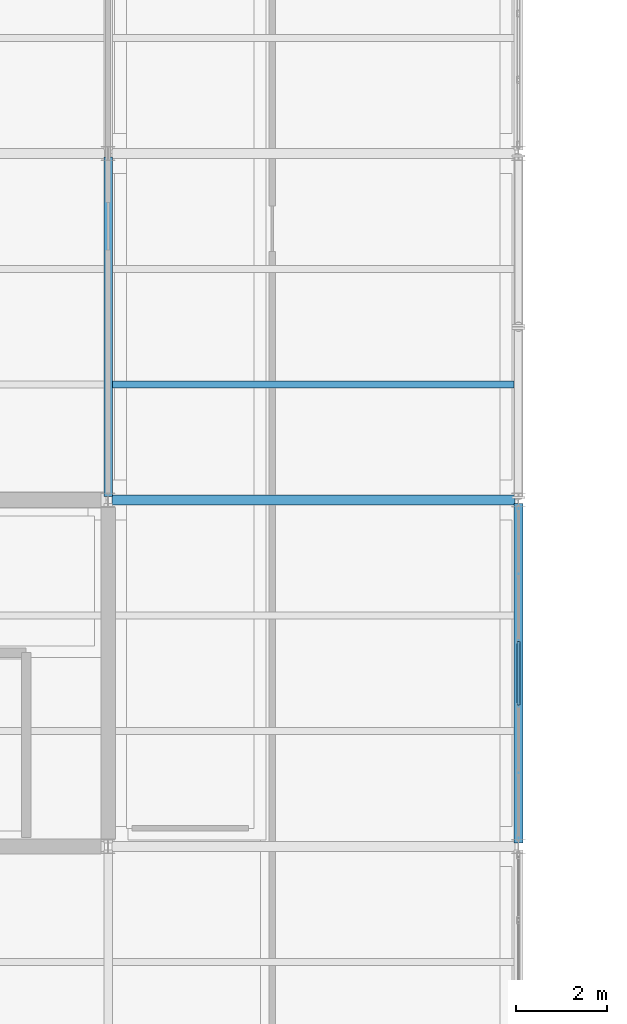
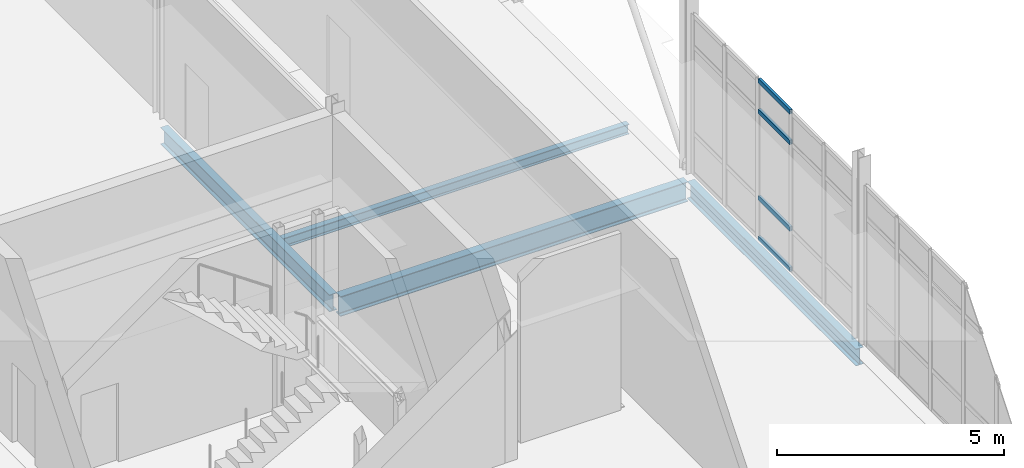
# One storey, part 112 of 161: 4 beams, 4 members, 1 element without a shape of its own.
"""IFC4 building model written with IfcOpenShell, lengths in metres."""

from ifc_helpers import new_model, si_unit, direction, frame, origin, origin_2d, place, context, subcontext, project, spatial, hollow_rectangle, i_section, extrude, material, material_profile, profile_set, type_object, element, aggregate, save


model = new_model("IFC4")

# Units and contexts
model_context = context("Model", 3, precision=1e-05, world=origin(), true_north=direction((0.0, 1.0)))
body_context = subcontext(model_context, "Body", "Model", "MODEL_VIEW")
ifc_project = project(units=[si_unit("LENGTHUNIT", "METRE"), si_unit("AREAUNIT", "SQUARE_METRE"), si_unit("VOLUMEUNIT", "CUBIC_METRE"), si_unit("PLANEANGLEUNIT", "RADIAN"), si_unit("MASSUNIT", "GRAM", prefix="KILO")], contexts=[model_context])

# Site, building, storey
site_placement = place(None, origin())
site = spatial("IfcSite", under=ifc_project, at=site_placement, CompositionType="ELEMENT")
building_placement = place(site_placement, origin())
building = spatial("IfcBuilding", under=site, at=building_placement, Name="Caisbarro Railhouse Central Library", CompositionType="ELEMENT")
storey_placement = place(building_placement, origin())
storey = spatial("IfcBuildingStorey", under=building, at=storey_placement, Name="L00", CompositionType="ELEMENT", Elevation=0.0)

# Beams
ifc_material_1 = material(Name="Steel ASTM A572 Grade 50", Category="steel")
ifc_material_profile_1 = material_profile(ifc_material_1, i_section(OverallWidth=0.208984375, OverallDepth=0.532958984375, WebThickness=0.01025390625, FlangeThickness=0.015625, FilletRadius=0.02001953125, at=origin_2d()), Name="W530X92.0")
ifc_profile_set_1 = profile_set([ifc_material_profile_1], Name="Steel ASTM A572 Grade 50")
beam_type_1 = type_object("IfcBeamType", Name="BM-G06", PredefinedType="BEAM", material=ifc_profile_set_1)
beam_1_placement = place(storey_placement, frame((144.080078125, 76.0, -0.5166015625), z_axis=(1.0, 0.0, 0.0), x_axis=(0.0, 1.0, 0.0)))
element("IfcBeam", 1, at=beam_1_placement, inside=storey, type_object=beam_type_1, Name="G06 beam L00 #501", PredefinedType="BEAM", context=body_context, shape_type="SweptSolid", body=[
    extrude(i_section(OverallWidth=0.208984375, OverallDepth=0.532958984375, WebThickness=0.01025390625, FlangeThickness=0.015625, FilletRadius=0.02001953125, at=origin_2d()), origin(), (0.0, 0.0, 1.0), 8.83984375),
])
ifc_material_profile_2 = material_profile(ifc_material_1, i_section(OverallWidth=0.18994140625, OverallDepth=0.45703125, WebThickness=0.009033203125, FlangeThickness=0.014404296875, FilletRadius=0.01806640625, at=origin_2d()), Name="W460X74.0")
ifc_profile_set_2 = profile_set([ifc_material_profile_2], Name="Steel ASTM A572 Grade 50")
beam_type_2 = type_object("IfcBeamType", Name="BM-G08", PredefinedType="BEAM", material=ifc_profile_set_2)
for number, where, z_axis, x_axis, name in (
    (2, (144.0, 76.080078125, -0.478515625), (0.0, 1.0, 0.0), (-1.0, 0.0, 0.0), "G08 beam L00 #545"),
    (3, (153.0, 68.47998046875, -0.478515625), (0.0, 1.0, 0.0), (-1.0, 0.0, 0.0), "G08 beam L00 #551"),
):
    element("IfcBeam", number, at=place(storey_placement, frame(where, z_axis=z_axis, x_axis=x_axis)), inside=storey, type_object=beam_type_2, Name=name, PredefinedType="BEAM", context=body_context, shape_type="SweptSolid", body=[
        extrude(i_section(OverallWidth=0.18994140625, OverallDepth=0.45703125, WebThickness=0.009033203125, FlangeThickness=0.014404296875, FilletRadius=0.01806640625, at=origin_2d()), origin(), (0.0, 0.0, 1.0), 7.43994140625),
    ])
ifc_material_profile_3 = material_profile(ifc_material_1, i_section(OverallWidth=0.14794921875, OverallDepth=0.26611328125, WebThickness=0.007568359375, FlangeThickness=0.012939453125, FilletRadius=0.010009765625, at=origin_2d()), Name="W250X44.8")
ifc_profile_set_3 = profile_set([ifc_material_profile_3], Name="Steel ASTM A572 Grade 50")
beam_type_3 = type_object("IfcBeamType", Name="BM-J04", PredefinedType="JOIST", material=ifc_profile_set_3)
beam_2_placement = place(storey_placement, frame((144.094970703125, 78.533203125, -0.383056640625), z_axis=(1.0, 0.0, 0.0), x_axis=(0.0, 1.0, 0.0)))
element("IfcBeam", 4, at=beam_2_placement, inside=storey, type_object=beam_type_3, Name="J04 beam L00 #603", PredefinedType="JOIST", context=body_context, shape_type="SweptSolid", body=[
    extrude(i_section(OverallWidth=0.14794921875, OverallDepth=0.26611328125, WebThickness=0.007568359375, FlangeThickness=0.012939453125, FilletRadius=0.010009765625, at=origin_2d()), origin(), (0.0, 0.0, 1.0), 8.81005859375),
])

# Curtain wall, members
ifc_material_2 = material(Name="Anodised architectural aluminium", Category="aluminium")
curtain_wall_type = type_object("IfcCurtainWallType", Name="CW-CW03", PredefinedType="NOTDEFINED", material=ifc_material_2)
curtain_wall_placement = place(storey_placement, origin())
curtain_wall = element("IfcCurtainWall", 5, at=curtain_wall_placement, inside=storey, type_object=curtain_wall_type, Name="CW03 curtain wall L00 #107", PredefinedType="NOTDEFINED")
ifc_material_profile_4 = material_profile(ifc_material_2, hollow_rectangle(XDim=0.06494140625, YDim=0.1201171875, WallThickness=0.00341796875, at=origin_2d()), Name="ALU-TRN-65X120")
ifc_profile_set_4 = profile_set([ifc_material_profile_4], Name="Anodised architectural aluminium")
member_type = type_object("IfcMemberType", Name="CWT-T02", PredefinedType="USERDEFINED", material=ifc_profile_set_4)
member_1_placement = place(storey_placement, frame((153.0, 71.50439453125, 0.032470703125), z_axis=(0.0, 1.0, 0.0), x_axis=(-1.0, 0.0, 0.0)))
member_1 = element("IfcMember", 6, at=member_1_placement, type_object=member_type, Name="CW03 transom 3.1", ObjectType="TRANSOM", PredefinedType="USERDEFINED", context=body_context, shape_type="SweptSolid", body=[
    extrude(hollow_rectangle(XDim=0.06494140625, YDim=0.1201171875, WallThickness=0.00341796875, at=origin_2d()), origin(), (0.0, 0.0, 1.0), 1.39111328125),
])
member_2_placement = place(storey_placement, frame((153.0, 71.50439453125, 1.1201171875), z_axis=(0.0, 1.0, 0.0), x_axis=(-1.0, 0.0, 0.0)))
member_2 = element("IfcMember", 7, at=member_2_placement, type_object=member_type, Name="CW03 transom 3.2", ObjectType="TRANSOM", PredefinedType="USERDEFINED", context=body_context, shape_type="SweptSolid", body=[
    extrude(hollow_rectangle(XDim=0.06494140625, YDim=0.1201171875, WallThickness=0.00341796875, at=origin_2d()), origin(), (0.0, 0.0, 1.0), 1.39111328125),
])
member_3_placement = place(storey_placement, frame((153.0, 71.50439453125, 3.449951171875), z_axis=(0.0, 1.0, 0.0), x_axis=(-1.0, 0.0, 0.0)))
member_3 = element("IfcMember", 8, at=member_3_placement, type_object=member_type, Name="CW03 transom 3.3", ObjectType="TRANSOM", PredefinedType="USERDEFINED", context=body_context, shape_type="SweptSolid", body=[
    extrude(hollow_rectangle(XDim=0.06494140625, YDim=0.1201171875, WallThickness=0.00341796875, at=origin_2d()), origin(), (0.0, 0.0, 1.0), 1.39111328125),
])
member_4_placement = place(storey_placement, frame((153.0, 71.50439453125, 4.267578125), z_axis=(0.0, 1.0, 0.0), x_axis=(-1.0, 0.0, 0.0)))
member_4 = element("IfcMember", 9, at=member_4_placement, type_object=member_type, Name="CW03 transom 3.4", ObjectType="TRANSOM", PredefinedType="USERDEFINED", context=body_context, shape_type="SweptSolid", body=[
    extrude(hollow_rectangle(XDim=0.06494140625, YDim=0.1201171875, WallThickness=0.00341796875, at=origin_2d()), origin(), (0.0, 0.0, 1.0), 1.39111328125),
])
aggregate(curtain_wall, [member_1, member_2, member_3, member_4])

save(model, "model.ifc")
